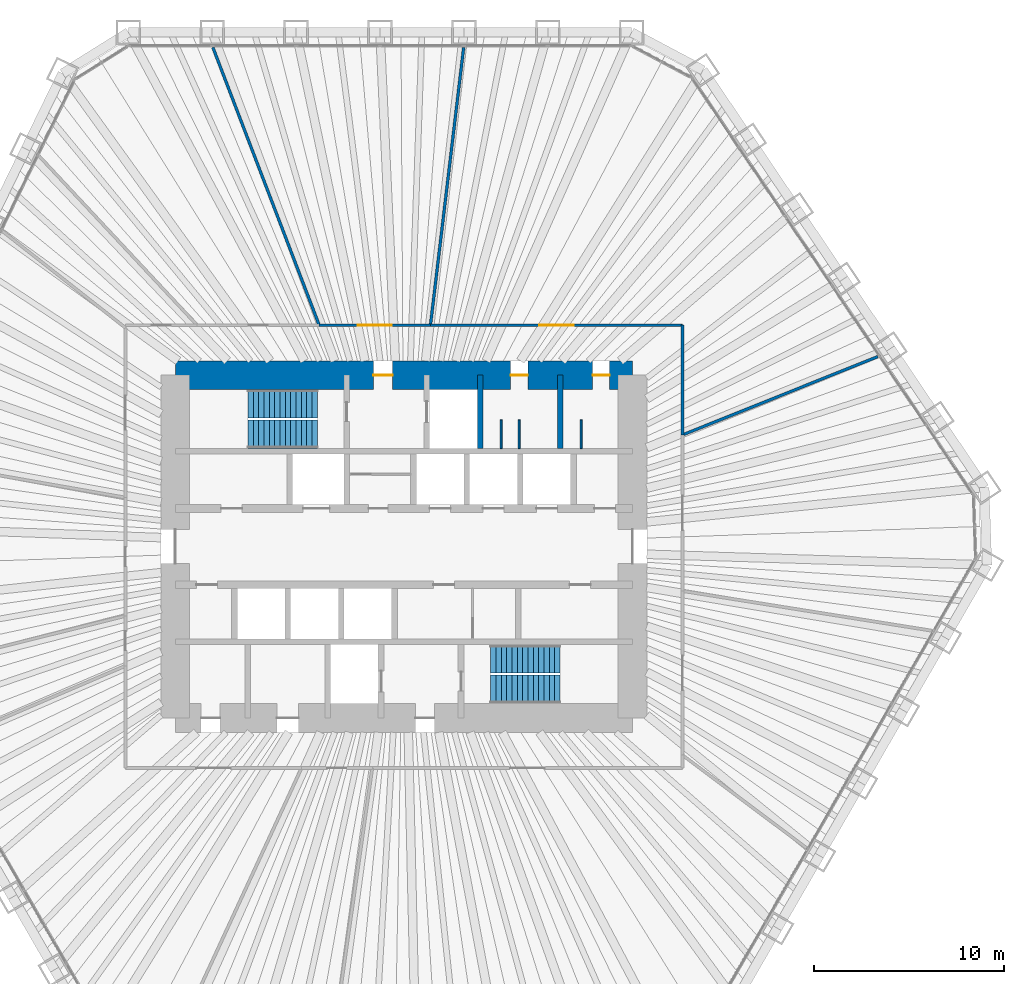
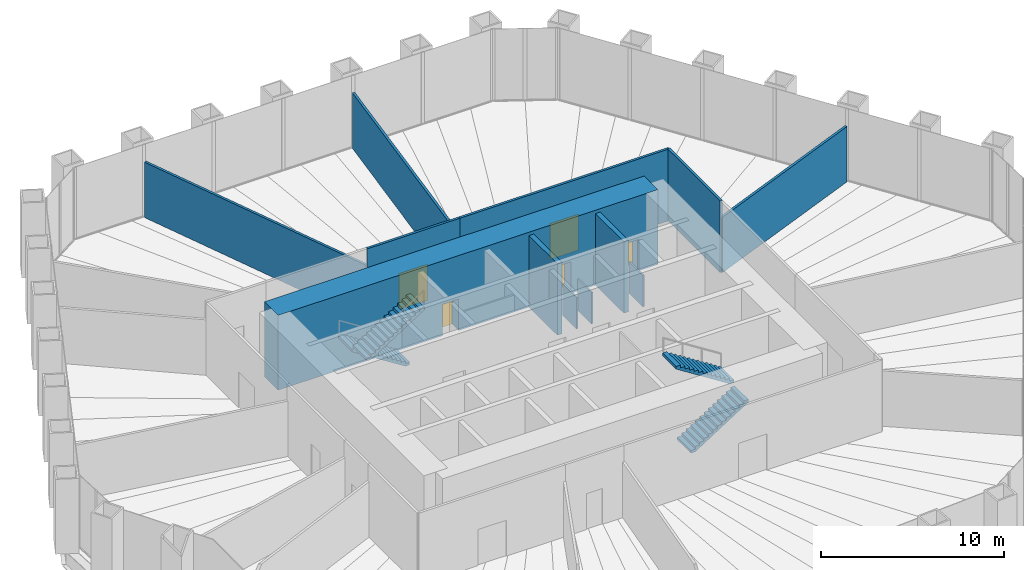
# One storey, part 12 of 13: 12 walls, 5 doors, 4 stair flights, 5 openings, 2 elements without a shape of their own.
"""IFC4 building model written with IfcOpenShell, lengths in metres."""

from ifc_helpers import new_model, si_unit, direction, frame, frame_2d, origin, place, context, subcontext, project, spatial, polyline, rectangle, outline, extrude, material, layer, layer_set, type_object, element, fill, aggregate, save


model = new_model("IFC4")

# Units and contexts
model_context = context("Model", 3, precision=1e-05, world=origin(), true_north=direction((0.0, 1.0)))
body_context = subcontext(model_context, "Body", "Model", "MODEL_VIEW")
ifc_project = project(units=[si_unit("LENGTHUNIT", "METRE"), si_unit("AREAUNIT", "SQUARE_METRE"), si_unit("VOLUMEUNIT", "CUBIC_METRE"), si_unit("PLANEANGLEUNIT", "RADIAN"), si_unit("MASSUNIT", "GRAM", prefix="KILO")], contexts=[model_context])

# Site, building, storey
site_placement = place(None, origin())
site = spatial("IfcSite", under=ifc_project, at=site_placement, CompositionType="ELEMENT")
building_placement = place(site_placement, origin())
building = spatial("IfcBuilding", under=site, at=building_placement, Name="Qingtian Harvest Tower", CompositionType="ELEMENT")
storey_placement = place(building_placement, frame((0.0, 0.0, 47.0)))
storey = spatial("IfcBuildingStorey", under=building, at=storey_placement, Name="L09", CompositionType="ELEMENT", Elevation=47.0)

# Walls
ifc_material_1 = material(Name="Precast concrete shaft panel", Category="concrete")
ifc_layer_1 = layer(ifc_material_1, 0.300048828125)
ifc_layer_set_1 = layer_set([ifc_layer_1], Name="Core shaft partition SW1 300")
wall_type_1 = type_object("IfcWallType", Name="Core shaft partition SW1 300", PredefinedType="PARTITIONING", material=ifc_layer_set_1)
for number, where, z_axis, x_axis, name in (
    (1, (4.0, 5.14990234375, 0.0), (0.0, 0.0, 1.0), (0.0, 1.0, 0.0), "Core shaft partition XN3 L09"),
    (2, (8.199951171875, 5.14990234375, 0.0), (0.0, 0.0, 1.0), (0.0, 1.0, 0.0), "Core shaft partition XN4 L09"),
):
    element("IfcWall", number, at=place(storey_placement, frame(where, z_axis=z_axis, x_axis=x_axis)), inside=storey, type_object=wall_type_1, Name=name, PredefinedType="PARTITIONING", context=body_context, shape_type="SweptSolid", body=[
        extrude(rectangle(XDim=3.85009765625, YDim=0.300048828125, at=frame_2d((1.925048828125, 0.0))), origin(), (0.0, 0.0, 1.0), 4.780029296875),
    ])

# Wall, openings, doors
ifc_material_2 = material(Name="Concrete fc' 70 MPa", Category="concrete")
ifc_layer_2 = layer(ifc_material_2, 1.5)
ifc_layer_set_2 = layer_set([ifc_layer_2], Name="Core wall RC1 1500")
wall_type_2 = type_object("IfcWallType", Name="Core wall RC1 1500", PredefinedType="SHEAR", material=ifc_layer_set_2)
wall_1_placement = place(storey_placement, frame((-12.0, 9.0, 0.0), z_axis=(0.0, 0.0, 1.0), x_axis=(1.0, 0.0, 0.0)))
wall_1 = element("IfcWall", 3, at=wall_1_placement, inside=storey, type_object=wall_type_2, Name="Core wall CN L09", PredefinedType="SHEAR", context=body_context, shape_type="SweptSolid", body=[
    extrude(rectangle(XDim=24.0, YDim=1.5, at=frame_2d((12.0, 0.0))), origin(), (0.0, 0.0, 1.0), 5.0),
])
opening_1_placement = place(wall_1_placement, frame((10.39990234375, 0.0, 0.0)))
opening_1 = element("IfcOpeningElement", 4, at=opening_1_placement, cuts=wall_1, Name="Opening FD1", PredefinedType="OPENING", context=body_context, shape_type="SweptSolid", body=[
    extrude(rectangle(XDim=1.0, YDim=2.10009765625, at=frame_2d((0.5, 1.050048828125))), frame((0.0, 0.760009765625, 0.0), z_axis=(0.0, -1.0, 0.0), x_axis=(1.0, 0.0, 0.0)), (0.0, 0.0, 1.0), 1.52001953125),
])
opening_2_placement = place(wall_1_placement, frame((17.60009765625, 0.0, 0.0)))
opening_2 = element("IfcOpeningElement", 5, at=opening_2_placement, cuts=wall_1, Name="Opening D1", PredefinedType="OPENING", context=body_context, shape_type="SweptSolid", body=[
    extrude(rectangle(XDim=0.89990234375, YDim=2.10009765625, at=frame_2d((0.449951171875, 1.050048828125))), frame((0.0, 0.760009765625, 0.0), z_axis=(0.0, -1.0, 0.0), x_axis=(1.0, 0.0, 0.0)), (0.0, 0.0, 1.0), 1.52001953125),
])
opening_3_placement = place(wall_1_placement, frame((21.89990234375, 0.0, 0.0)))
opening_3 = element("IfcOpeningElement", 6, at=opening_3_placement, cuts=wall_1, Name="Opening D1", PredefinedType="OPENING", context=body_context, shape_type="SweptSolid", body=[
    extrude(rectangle(XDim=0.89990234375, YDim=2.10009765625, at=frame_2d((0.449951171875, 1.050048828125))), frame((0.0, 0.760009765625, 0.0), z_axis=(0.0, -1.0, 0.0), x_axis=(1.0, 0.0, 0.0)), (0.0, 0.0, 1.0), 1.52001953125),
])
ifc_material_3 = material(Name="Steel-faced door leaf", Category="steel")
door_type_1 = type_object("IfcDoorType", Name="Fire door FD1 single 1 HR", OperationType="SINGLE_SWING_LEFT", PredefinedType="DOOR", material=ifc_material_3)
door_1_placement = place(opening_1_placement, origin())
door_1 = element("IfcDoor", 7, at=door_1_placement, inside=storey, type_object=door_type_1, Name="V1 door L09", OperationType="SINGLE_SWING_LEFT", OverallHeight=2.10009765625, OverallWidth=1.0, PredefinedType="DOOR", context=body_context, shape_type="SweptSolid", body=[
    extrude(rectangle(XDim=1.0, YDim=2.10009765625, at=frame_2d((0.5, 1.050048828125))), frame((0.0, 0.02490234375, 0.0), z_axis=(0.0, -1.0, 0.0), x_axis=(1.0, 0.0, 0.0)), (0.0, 0.0, 1.0), 0.050048828125),
])
fill(opening_1, door_1)
ifc_material_4 = material(Name="Laminated timber door leaf", Category="wood")
door_type_2 = type_object("IfcDoorType", Name="Toilet door D1 single", OperationType="SINGLE_SWING_LEFT", PredefinedType="DOOR", material=ifc_material_4)
door_2_placement = place(opening_2_placement, origin())
door_2 = element("IfcDoor", 8, at=door_2_placement, inside=storey, type_object=door_type_2, Name="WCM door L09", OperationType="SINGLE_SWING_LEFT", OverallHeight=2.10009765625, OverallWidth=0.89990234375, PredefinedType="DOOR", context=body_context, shape_type="SweptSolid", body=[
    extrude(rectangle(XDim=0.89990234375, YDim=2.10009765625, at=frame_2d((0.449951171875, 1.050048828125))), frame((0.0, 0.02490234375, 0.0), z_axis=(0.0, -1.0, 0.0), x_axis=(1.0, 0.0, 0.0)), (0.0, 0.0, 1.0), 0.050048828125),
])
fill(opening_2, door_2)
door_3_placement = place(opening_3_placement, origin())
door_3 = element("IfcDoor", 9, at=door_3_placement, inside=storey, type_object=door_type_2, Name="WCF door L09", OperationType="SINGLE_SWING_LEFT", OverallHeight=2.10009765625, OverallWidth=0.89990234375, PredefinedType="DOOR", context=body_context, shape_type="SweptSolid", body=[
    extrude(rectangle(XDim=0.89990234375, YDim=2.10009765625, at=frame_2d((0.449951171875, 1.050048828125))), frame((0.0, 0.02490234375, 0.0), z_axis=(0.0, -1.0, 0.0), x_axis=(1.0, 0.0, 0.0)), (0.0, 0.0, 1.0), 0.050048828125),
])
fill(opening_3, door_3)

# Wall
ifc_material_5 = material(Name="Gypsum board on steel studs", Category="steel")
ifc_layer_3 = layer(ifc_material_5, 0.14990234375)
ifc_layer_set_3 = layer_set([ifc_layer_3], Name="Partition PT1 150")
wall_type_3 = type_object("IfcWallType", Name="Partition PT1 150", PredefinedType="PARTITIONING", material=ifc_layer_set_3)
wall_2_placement = place(storey_placement, frame((3.135009765625, 26.20068359375, 0.0), z_axis=(0.0, 0.0, 1.0), x_axis=(-0.118796980211, -0.992918565388, 0.0)))
element("IfcWall", 10, at=wall_2_placement, inside=storey, type_object=wall_type_3, Name="Leafy greens growing room wall L09", PredefinedType="PARTITIONING", context=body_context, shape_type="SweptSolid", body=[
    extrude(rectangle(XDim=14.6796875, YDim=0.14990234375, at=frame_2d((7.33984375, 0.0))), origin(), (0.0, 0.0, 1.0), 3.699951171875),
])

# Wall, opening, door
wall_3_placement = place(storey_placement, frame((1.39111328125, 11.625, 0.0), z_axis=(0.0, 0.0, 1.0), x_axis=(1.0, 0.0, 0.0)))
wall_3 = element("IfcWall", 11, at=wall_3_placement, inside=storey, type_object=wall_type_3, Name="Leafy greens growing room wall L09", PredefinedType="PARTITIONING", context=body_context, shape_type="SweptSolid", body=[
    extrude(rectangle(XDim=13.23388671875, YDim=0.14990234375, at=frame_2d((6.616943359375, 0.0))), origin(), (0.0, 0.0, 1.0), 4.800048828125),
])
opening_4_placement = place(wall_3_placement, frame((5.717041015625, 0.0, 0.0)))
opening_4 = element("IfcOpeningElement", 12, at=opening_4_placement, cuts=wall_3, Name="Opening D3", PredefinedType="OPENING", context=body_context, shape_type="SweptSolid", body=[
    extrude(rectangle(XDim=1.800048828125, YDim=2.39990234375, at=frame_2d((0.89990234375, 1.199951171875))), frame((0.0, 0.0849609375, 0.0), z_axis=(0.0, -1.0, 0.0), x_axis=(1.0, 0.0, 0.0)), (0.0, 0.0, 1.0), 0.169921875),
])
ifc_material_6 = material(Name="Laminated timber door leaf", Category="wood")
door_type_3 = type_object("IfcDoorType", Name="Room door D3 double", OperationType="DOUBLE_DOOR_DOUBLE_SWING", PredefinedType="DOOR", material=ifc_material_6)
door_4_placement = place(opening_4_placement, origin())
door_4 = element("IfcDoor", 13, at=door_4_placement, inside=storey, type_object=door_type_3, Name="Leafy greens growing room door L09", OperationType="DOUBLE_DOOR_DOUBLE_SWING", OverallHeight=2.39990234375, OverallWidth=1.800048828125, PredefinedType="DOOR", context=body_context, shape_type="SweptSolid", body=[
    extrude(rectangle(XDim=1.800048828125, YDim=2.39990234375, at=frame_2d((0.89990234375, 1.199951171875))), frame((0.0, 0.02490234375, 0.0), z_axis=(0.0, -1.0, 0.0), x_axis=(1.0, 0.0, 0.0)), (0.0, 0.0, 1.0), 0.050048828125),
])
fill(opening_4, door_4)

# Walls
wall_4_placement = place(storey_placement, frame((14.625, 11.625, 0.0), z_axis=(0.0, 0.0, 1.0), x_axis=(0.0, -1.0, 0.0)))
element("IfcWall", 14, at=wall_4_placement, inside=storey, type_object=wall_type_3, Name="Leafy greens growing room wall L09", PredefinedType="PARTITIONING", context=body_context, shape_type="SweptSolid", body=[
    extrude(rectangle(XDim=5.7607421875, YDim=0.14990234375, at=frame_2d((2.88037109375, 0.0))), origin(), (0.0, 0.0, 1.0), 4.800048828125),
])
wall_5_placement = place(storey_placement, frame((24.877197265625, 9.975341796875, 0.0), z_axis=(0.0, 0.0, 1.0), x_axis=(-0.928157765849, -0.372186998288, 0.0)))
element("IfcWall", 15, at=wall_5_placement, inside=storey, type_object=wall_type_3, Name="Leafy greens growing room wall L09", PredefinedType="PARTITIONING", context=body_context, shape_type="SweptSolid", body=[
    extrude(rectangle(XDim=11.045654296875, YDim=0.14990234375, at=frame_2d((5.52294921875, 0.0))), origin(), (0.0, 0.0, 1.0), 3.699951171875),
])
wall_6_placement = place(storey_placement, frame((-10.031005859375, 26.20654296875, 0.0), z_axis=(0.0, 0.0, 1.0), x_axis=(0.35747288505, -0.933923517454, 0.0)))
element("IfcWall", 16, at=wall_6_placement, inside=storey, type_object=wall_type_3, Name="Leafy greens growing room wall L09", PredefinedType="PARTITIONING", context=body_context, shape_type="SweptSolid", body=[
    extrude(rectangle(XDim=15.61328125, YDim=0.14990234375, at=frame_2d((7.806640625, 0.0))), origin(), (0.0, 0.0, 1.0), 3.699951171875),
])

# Wall, opening, door
wall_7_placement = place(storey_placement, frame((-4.44970703125, 11.625, 0.0), z_axis=(0.0, 0.0, 1.0), x_axis=(1.0, 0.0, 0.0)))
wall_7 = element("IfcWall", 17, at=wall_7_placement, inside=storey, type_object=wall_type_3, Name="Leafy greens growing room wall L09", PredefinedType="PARTITIONING", context=body_context, shape_type="SweptSolid", body=[
    extrude(rectangle(XDim=5.8408203125, YDim=0.14990234375, at=frame_2d((2.92041015625, 0.0))), origin(), (0.0, 0.0, 1.0), 4.800048828125),
])
opening_5_placement = place(wall_7_placement, frame((2.020263671875, 0.0, 0.0)))
opening_5 = element("IfcOpeningElement", 18, at=opening_5_placement, cuts=wall_7, Name="Opening D3", PredefinedType="OPENING", context=body_context, shape_type="SweptSolid", body=[
    extrude(rectangle(XDim=1.800048828125, YDim=2.39990234375, at=frame_2d((0.89990234375, 1.199951171875))), frame((0.0, 0.0849609375, 0.0), z_axis=(0.0, -1.0, 0.0), x_axis=(1.0, 0.0, 0.0)), (0.0, 0.0, 1.0), 0.169921875),
])
door_5_placement = place(opening_5_placement, origin())
door_5 = element("IfcDoor", 19, at=door_5_placement, inside=storey, type_object=door_type_3, Name="Leafy greens growing room door L09", OperationType="DOUBLE_DOOR_DOUBLE_SWING", OverallHeight=2.39990234375, OverallWidth=1.800048828125, PredefinedType="DOOR", context=body_context, shape_type="SweptSolid", body=[
    extrude(rectangle(XDim=1.800048828125, YDim=2.39990234375, at=frame_2d((0.89990234375, 1.199951171875))), frame((0.0, 0.02490234375, 0.0), z_axis=(0.0, -1.0, 0.0), x_axis=(1.0, 0.0, 0.0)), (0.0, 0.0, 1.0), 0.050048828125),
])
fill(opening_5, door_5)

# Walls
ifc_material_7 = material(Name="Compact laminate cubicle partition", Category="plastic")
ifc_layer_4 = layer(ifc_material_7, 0.10009765625)
ifc_layer_set_4 = layer_set([ifc_layer_4], Name="WC cubicle partition WP1 100")
wall_type_4 = type_object("IfcWallType", Name="WC cubicle partition WP1 100", PredefinedType="PARTITIONING", material=ifc_layer_set_4)
for number, where, z_axis, x_axis, name in (
    (20, (5.10009765625, 5.14990234375, 0.0), (0.0, 0.0, 1.0), (0.0, 1.0, 0.0), "WC cubicle partition WCM L09"),
    (21, (6.050048828125, 5.14990234375, 0.0), (0.0, 0.0, 1.0), (0.0, 1.0, 0.0), "WC cubicle partition WCM L09"),
    (22, (9.300048828125, 5.14990234375, 0.0), (0.0, 0.0, 1.0), (0.0, 1.0, 0.0), "WC cubicle partition WCF L09"),
):
    element("IfcWall", number, at=place(storey_placement, frame(where, z_axis=z_axis, x_axis=x_axis)), inside=storey, type_object=wall_type_4, Name=name, PredefinedType="PARTITIONING", context=body_context, shape_type="SweptSolid", body=[
        extrude(rectangle(XDim=1.5, YDim=0.10009765625, at=frame_2d((0.75, 0.0))), origin(), (0.0, 0.0, 1.0), 2.10009765625),
    ])

# Stair, stair flights
ifc_material_8 = material(Name="Concrete fc' 35 MPa", Category="concrete")
stair_type = type_object("IfcStairType", Name="Special stair ST2 5000", PredefinedType="HALF_TURN_STAIR", material=ifc_material_8)
stair_1_placement = place(storey_placement, origin())
stair_1 = element("IfcStair", 23, at=stair_1_placement, inside=storey, type_object=stair_type, Name="Special stair S1 L09", PredefinedType="HALF_TURN_STAIR")
ifc_material_9 = material(Name="Concrete fc' 35 MPa", Category="concrete")
stair_flight_type = type_object("IfcStairFlightType", Name="Stair flight SF2 5000", PredefinedType="STRAIGHT", material=ifc_material_9)
stair_flight_1_placement = place(storey_placement, frame((-4.550048828125, 7.5, 0.0), z_axis=(0.0, 0.0, 1.0), x_axis=(-1.0, 0.0, 0.0)))
stair_flight_1 = element("IfcStairFlight", 24, at=stair_flight_1_placement, type_object=stair_flight_type, Name="S1 flight 1", NumberOfRisers=14, NumberOfTreads=13, PredefinedType="STRAIGHT", RiserHeight=0.178571429, TreadLength=0.28, context=body_context, shape_type="SweptSolid", body=[
    extrude(outline(polyline([(0.0, 0.0), (0.0, 0.178466796875), (0.280029296875, 0.178466796875), (0.280029296875, 0.357177734375), (0.56005859375, 0.357177734375), (0.56005859375, 0.53564453125), (0.840087890625, 0.53564453125), (0.840087890625, 0.71435546875), (1.1201171875, 0.71435546875), (1.1201171875, 0.892822265625), (1.39990234375, 0.892822265625), (1.39990234375, 1.071533203125), (1.679931640625, 1.071533203125), (1.679931640625, 1.25), (1.9599609375, 1.25), (1.9599609375, 1.428466796875), (2.239990234375, 1.428466796875), (2.239990234375, 1.607177734375), (2.52001953125, 1.607177734375), (2.52001953125, 1.78564453125), (2.800048828125, 1.78564453125), (2.800048828125, 1.96435546875), (3.080078125, 1.96435546875), (3.080078125, 2.142822265625), (3.360107421875, 2.142822265625), (3.360107421875, 2.321533203125), (3.639892578125, 2.321533203125), (3.639892578125, 2.5), (3.639892578125, 2.1435546875), (0.27880859375, 0.0), (0.0, 0.0)])), frame((0.0, 0.75, 0.0), z_axis=(0.0, -1.0, 0.0), x_axis=(1.0, 0.0, 0.0)), (0.0, 0.0, 1.0), 1.5),
])
stair_flight_2_placement = place(storey_placement, frame((-8.18994140625, 5.89990234375, 2.5), z_axis=(0.0, 0.0, 1.0), x_axis=(1.0, 0.0, 0.0)))
stair_flight_2 = element("IfcStairFlight", 25, at=stair_flight_2_placement, type_object=stair_flight_type, Name="S1 flight 2", NumberOfRisers=14, NumberOfTreads=13, PredefinedType="STRAIGHT", RiserHeight=0.178571429, TreadLength=0.28, context=body_context, shape_type="SweptSolid", body=[
    extrude(outline(polyline([(0.0, 0.0), (0.0, 0.178466796875), (0.280029296875, 0.178466796875), (0.280029296875, 0.357177734375), (0.56005859375, 0.357177734375), (0.56005859375, 0.53564453125), (0.840087890625, 0.53564453125), (0.840087890625, 0.71435546875), (1.1201171875, 0.71435546875), (1.1201171875, 0.892822265625), (1.39990234375, 0.892822265625), (1.39990234375, 1.071533203125), (1.679931640625, 1.071533203125), (1.679931640625, 1.25), (1.9599609375, 1.25), (1.9599609375, 1.428466796875), (2.239990234375, 1.428466796875), (2.239990234375, 1.607177734375), (2.52001953125, 1.607177734375), (2.52001953125, 1.78564453125), (2.800048828125, 1.78564453125), (2.800048828125, 1.96435546875), (3.080078125, 1.96435546875), (3.080078125, 2.142822265625), (3.360107421875, 2.142822265625), (3.360107421875, 2.321533203125), (3.639892578125, 2.321533203125), (3.639892578125, 2.5), (3.639892578125, 2.1435546875), (0.27880859375, 0.0), (0.0, 0.0)])), frame((0.0, 0.75, 0.0), z_axis=(0.0, -1.0, 0.0), x_axis=(1.0, 0.0, 0.0)), (0.0, 0.0, 1.0), 1.5),
])
aggregate(stair_1, [stair_flight_1, stair_flight_2])

stair_2_placement = place(storey_placement, origin())
stair_2 = element("IfcStair", 26, at=stair_2_placement, inside=storey, type_object=stair_type, Name="Special stair S2 L09", PredefinedType="HALF_TURN_STAIR")
stair_flight_3_placement = place(storey_placement, frame((4.550048828125, -7.5, 0.0), z_axis=(0.0, 0.0, 1.0), x_axis=(1.0, 0.0, 0.0)))
stair_flight_3 = element("IfcStairFlight", 27, at=stair_flight_3_placement, type_object=stair_flight_type, Name="S2 flight 1", NumberOfRisers=14, NumberOfTreads=13, PredefinedType="STRAIGHT", RiserHeight=0.178571429, TreadLength=0.28, context=body_context, shape_type="SweptSolid", body=[
    extrude(outline(polyline([(0.0, 0.0), (0.0, 0.178466796875), (0.280029296875, 0.178466796875), (0.280029296875, 0.357177734375), (0.56005859375, 0.357177734375), (0.56005859375, 0.53564453125), (0.840087890625, 0.53564453125), (0.840087890625, 0.71435546875), (1.1201171875, 0.71435546875), (1.1201171875, 0.892822265625), (1.39990234375, 0.892822265625), (1.39990234375, 1.071533203125), (1.679931640625, 1.071533203125), (1.679931640625, 1.25), (1.9599609375, 1.25), (1.9599609375, 1.428466796875), (2.239990234375, 1.428466796875), (2.239990234375, 1.607177734375), (2.52001953125, 1.607177734375), (2.52001953125, 1.78564453125), (2.800048828125, 1.78564453125), (2.800048828125, 1.96435546875), (3.080078125, 1.96435546875), (3.080078125, 2.142822265625), (3.360107421875, 2.142822265625), (3.360107421875, 2.321533203125), (3.639892578125, 2.321533203125), (3.639892578125, 2.5), (3.639892578125, 2.1435546875), (0.27880859375, 0.0), (0.0, 0.0)])), frame((0.0, 0.75, 0.0), z_axis=(0.0, -1.0, 0.0), x_axis=(1.0, 0.0, 0.0)), (0.0, 0.0, 1.0), 1.5),
])
stair_flight_4_placement = place(storey_placement, frame((8.18994140625, -5.89990234375, 2.5), z_axis=(0.0, 0.0, 1.0), x_axis=(-1.0, 0.0, 0.0)))
stair_flight_4 = element("IfcStairFlight", 28, at=stair_flight_4_placement, type_object=stair_flight_type, Name="S2 flight 2", NumberOfRisers=14, NumberOfTreads=13, PredefinedType="STRAIGHT", RiserHeight=0.178571429, TreadLength=0.28, context=body_context, shape_type="SweptSolid", body=[
    extrude(outline(polyline([(0.0, 0.0), (0.0, 0.178466796875), (0.280029296875, 0.178466796875), (0.280029296875, 0.357177734375), (0.56005859375, 0.357177734375), (0.56005859375, 0.53564453125), (0.840087890625, 0.53564453125), (0.840087890625, 0.71435546875), (1.1201171875, 0.71435546875), (1.1201171875, 0.892822265625), (1.39990234375, 0.892822265625), (1.39990234375, 1.071533203125), (1.679931640625, 1.071533203125), (1.679931640625, 1.25), (1.9599609375, 1.25), (1.9599609375, 1.428466796875), (2.239990234375, 1.428466796875), (2.239990234375, 1.607177734375), (2.52001953125, 1.607177734375), (2.52001953125, 1.78564453125), (2.800048828125, 1.78564453125), (2.800048828125, 1.96435546875), (3.080078125, 1.96435546875), (3.080078125, 2.142822265625), (3.360107421875, 2.142822265625), (3.360107421875, 2.321533203125), (3.639892578125, 2.321533203125), (3.639892578125, 2.5), (3.639892578125, 2.1435546875), (0.27880859375, 0.0), (0.0, 0.0)])), frame((0.0, 0.75, 0.0), z_axis=(0.0, -1.0, 0.0), x_axis=(1.0, 0.0, 0.0)), (0.0, 0.0, 1.0), 1.5),
])
aggregate(stair_2, [stair_flight_3, stair_flight_4])

save(model, "model.ifc")
